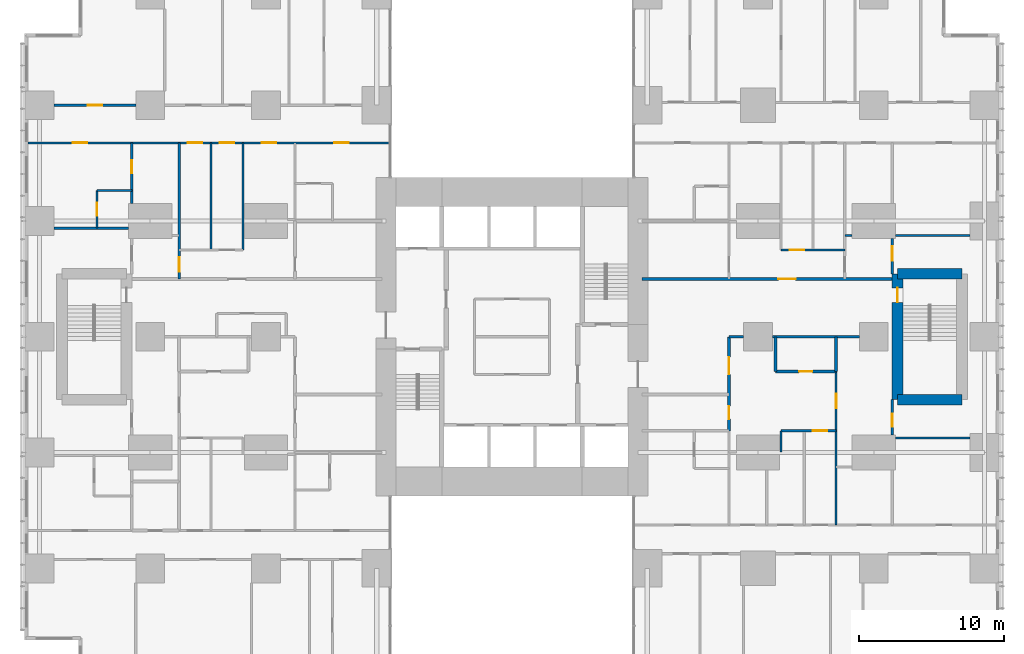
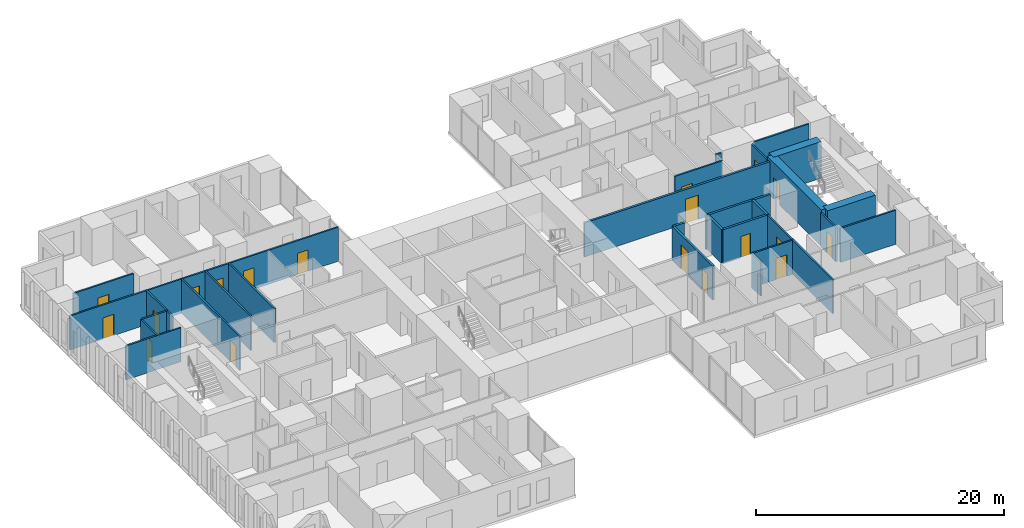
# One storey, part 16 of 20: 28 walls, 19 doors, 19 openings.
"""IFC4 building model written with IfcOpenShell, lengths in metres."""

from ifc_helpers import new_model, si_unit, direction, frame, frame_2d, origin, place, context, subcontext, project, spatial, rectangle, extrude, material, layer, layer_set, type_object, element, fill, save


model = new_model("IFC4")

# Units and contexts
model_context = context("Model", 3, precision=1e-05, world=origin(), true_north=direction((0.0, 1.0)))
body_context = subcontext(model_context, "Body", "Model", "MODEL_VIEW")
ifc_project = project(units=[si_unit("LENGTHUNIT", "METRE"), si_unit("AREAUNIT", "SQUARE_METRE"), si_unit("VOLUMEUNIT", "CUBIC_METRE"), si_unit("PLANEANGLEUNIT", "RADIAN"), si_unit("MASSUNIT", "GRAM", prefix="KILO")], contexts=[model_context])

# Site, building, storey
site_placement = place(None, origin())
site = spatial("IfcSite", under=ifc_project, at=site_placement, CompositionType="ELEMENT")
building_placement = place(site_placement, origin())
building = spatial("IfcBuilding", under=site, at=building_placement, Name="Cleftline Residences", CompositionType="ELEMENT")
storey_placement = place(building_placement, frame((0.0, 0.0, 157.39990234375)))
storey = spatial("IfcBuildingStorey", under=building, at=storey_placement, Name="L41", CompositionType="ELEMENT", Elevation=157.39990234375)

# Wall, opening, door
ifc_material_1 = material(Name="Concrete blockwork, fire rated", Category="masonry")
ifc_layer_1 = layer(ifc_material_1, 0.199951171875)
ifc_layer_set_1 = layer_set([ifc_layer_1], Name="FIRE WALL 200")
wall_type_1 = type_object("IfcWallType", Name="FIRE WALL 200", PredefinedType="PARTITIONING", material=ifc_layer_set_1)
wall_1_placement = place(storey_placement, frame((51.199951171875, 21.60009765625, 0.0), z_axis=(0.0, 0.0, 1.0), x_axis=(1.0, 0.0, 0.0)))
wall_1 = element("IfcWall", 1, at=wall_1_placement, inside=storey, type_object=wall_type_1, Name="Fire separating wall", PredefinedType="PARTITIONING", context=body_context, shape_type="SweptSolid", body=[
    extrude(rectangle(XDim=4.199951171875, YDim=0.199951171875, at=frame_2d((2.10009765625, 0.0))), origin(), (0.0, 0.0, 1.0), 3.35009765625),
])
opening_1_placement = place(wall_1_placement, frame((1.64990234375, 0.0, 0.0)))
opening_1 = element("IfcOpeningElement", 2, at=opening_1_placement, cuts=wall_1, Name="Opening D1F30", PredefinedType="OPENING", context=body_context, shape_type="SweptSolid", body=[
    extrude(rectangle(XDim=0.89990234375, YDim=2.10009765625, at=frame_2d((0.449951171875, 1.050048828125))), frame((0.0, 0.10986328125, 0.0), z_axis=(0.0, -1.0, 0.0), x_axis=(1.0, 0.0, 0.0)), (0.0, 0.0, 1.0), 0.219970703125),
])
ifc_material_2 = material(Name="Timber veneer on solid core", Category="wood")
door_type_1 = type_object("IfcDoorType", Name="DOOR 900X2100 EI 30", OperationType="SINGLE_SWING_LEFT", PredefinedType="DOOR", material=ifc_material_2)
door_1_placement = place(opening_1_placement, origin())
door_1 = element("IfcDoor", 3, at=door_1_placement, inside=storey, type_object=door_type_1, Name="Door to cloakroom wc", OperationType="SINGLE_SWING_LEFT", OverallHeight=2.10009765625, OverallWidth=0.89990234375, PredefinedType="DOOR", context=body_context, shape_type="SweptSolid", body=[
    extrude(rectangle(XDim=0.89990234375, YDim=2.10009765625, at=frame_2d((0.449951171875, 1.050048828125))), frame((0.0, 0.02490234375, 0.0), z_axis=(0.0, -1.0, 0.0), x_axis=(1.0, 0.0, 0.0)), (0.0, 0.0, 1.0), 0.050048828125),
])
fill(opening_1, door_1)

# Walls
wall_2_placement = place(storey_placement, frame((48.0, 24.0, 0.0), z_axis=(0.0, 0.0, 1.0), x_axis=(1.0, 0.0, 0.0)))
element("IfcWall", 4, at=wall_2_placement, inside=storey, type_object=wall_type_1, Name="Fire separating wall", PredefinedType="PARTITIONING", context=body_context, shape_type="SweptSolid", body=[
    extrude(rectangle(XDim=1.0, YDim=0.199951171875, at=frame_2d((0.5, 0.0))), origin(), (0.0, 0.0, 1.0), 3.35009765625),
])
wall_3_placement = place(storey_placement, frame((51.0, 24.0, 0.0), z_axis=(0.0, 0.0, 1.0), x_axis=(1.0, 0.0, 0.0)))
element("IfcWall", 5, at=wall_3_placement, inside=storey, type_object=wall_type_1, Name="Fire separating wall", PredefinedType="PARTITIONING", context=body_context, shape_type="SweptSolid", body=[
    extrude(rectangle(XDim=6.0, YDim=0.199951171875, at=frame_2d((3.0, 0.0))), origin(), (0.0, 0.0, 1.0), 3.35009765625),
])

# Wall, opening, door
wall_4_placement = place(storey_placement, frame((42.0, 28.0, 0.0), z_axis=(0.0, 0.0, 1.0), x_axis=(1.0, 0.0, 0.0)))
wall_4 = element("IfcWall", 6, at=wall_4_placement, inside=storey, type_object=wall_type_1, Name="Fire separating wall", PredefinedType="PARTITIONING", context=body_context, shape_type="SweptSolid", body=[
    extrude(rectangle(XDim=17.27490234375, YDim=0.199951171875, at=frame_2d((8.637451171875, 0.0))), origin(), (0.0, 0.0, 1.0), 3.35009765625),
])
opening_2_placement = place(wall_4_placement, frame((9.39990234375, 0.0, 0.0)))
opening_2 = element("IfcOpeningElement", 7, at=opening_2_placement, cuts=wall_4, Name="Opening D4", PredefinedType="OPENING", context=body_context, shape_type="SweptSolid", body=[
    extrude(rectangle(XDim=1.199951171875, YDim=2.39990234375, at=frame_2d((0.60009765625, 1.199951171875))), frame((0.0, 0.10986328125, 0.0), z_axis=(0.0, -1.0, 0.0), x_axis=(1.0, 0.0, 0.0)), (0.0, 0.0, 1.0), 0.219970703125),
])
ifc_material_3 = material(Name="Timber veneer on solid core", Category="wood")
door_type_2 = type_object("IfcDoorType", Name="APARTMENT ENTRANCE DOOR 1200X2400", OperationType="SINGLE_SWING_RIGHT", PredefinedType="DOOR", material=ifc_material_3)
door_2_placement = place(opening_2_placement, origin())
door_2 = element("IfcDoor", 8, at=door_2_placement, inside=storey, type_object=door_type_2, Name="Door to residence entrance (gallery)", OperationType="SINGLE_SWING_LEFT", OverallHeight=2.39990234375, OverallWidth=1.199951171875, PredefinedType="DOOR", context=body_context, shape_type="SweptSolid", body=[
    extrude(rectangle(XDim=1.199951171875, YDim=2.39990234375, at=frame_2d((0.60009765625, 1.199951171875))), frame((0.0, 0.02490234375, 0.0), z_axis=(0.0, -1.0, 0.0), x_axis=(1.0, 0.0, 0.0)), (0.0, 0.0, 1.0), 0.050048828125),
])
fill(opening_2, door_2)

# Wall, openings, doors
wall_5_placement = place(storey_placement, frame((48.0, 17.5, 0.0), z_axis=(0.0, 0.0, 1.0), x_axis=(0.0, 1.0, 0.0)))
wall_5 = element("IfcWall", 9, at=wall_5_placement, inside=storey, type_object=wall_type_1, Name="Fire separating wall", PredefinedType="PARTITIONING", context=body_context, shape_type="SweptSolid", body=[
    extrude(rectangle(XDim=6.5, YDim=0.199951171875, at=frame_2d((3.25, 0.0))), origin(), (0.0, 0.0, 1.0), 3.35009765625),
])
opening_3_placement = place(wall_5_placement, frame((3.89990234375, 0.0, 0.0)))
opening_3 = element("IfcOpeningElement", 10, at=opening_3_placement, cuts=wall_5, Name="Opening D4", PredefinedType="OPENING", context=body_context, shape_type="SweptSolid", body=[
    extrude(rectangle(XDim=1.199951171875, YDim=2.39990234375, at=frame_2d((0.60009765625, 1.199951171875))), frame((0.0, 0.10986328125, 0.0), z_axis=(0.0, -1.0, 0.0), x_axis=(1.0, 0.0, 0.0)), (0.0, 0.0, 1.0), 0.219970703125),
])
opening_4_placement = place(wall_5_placement, frame((0.800048828125, 0.0, 0.0)))
opening_4 = element("IfcOpeningElement", 11, at=opening_4_placement, cuts=wall_5, Name="Opening D1F30", PredefinedType="OPENING", context=body_context, shape_type="SweptSolid", body=[
    extrude(rectangle(XDim=0.89990234375, YDim=2.10009765625, at=frame_2d((0.449951171875, 1.050048828125))), frame((0.0, 0.10986328125, 0.0), z_axis=(0.0, -1.0, 0.0), x_axis=(1.0, 0.0, 0.0)), (0.0, 0.0, 1.0), 0.219970703125),
])
door_3_placement = place(opening_3_placement, origin())
door_3 = element("IfcDoor", 12, at=door_3_placement, inside=storey, type_object=door_type_2, Name="Door to residence entrance foyer", OperationType="SINGLE_SWING_LEFT", OverallHeight=2.39990234375, OverallWidth=1.199951171875, PredefinedType="DOOR", context=body_context, shape_type="SweptSolid", body=[
    extrude(rectangle(XDim=1.199951171875, YDim=2.39990234375, at=frame_2d((0.60009765625, 1.199951171875))), frame((0.0, 0.02490234375, 0.0), z_axis=(0.0, -1.0, 0.0), x_axis=(1.0, 0.0, 0.0)), (0.0, 0.0, 1.0), 0.050048828125),
])
fill(opening_3, door_3)
door_4_placement = place(opening_4_placement, origin())
door_4 = element("IfcDoor", 13, at=door_4_placement, inside=storey, type_object=door_type_1, Name="Door to utility room", OperationType="SINGLE_SWING_RIGHT", OverallHeight=2.10009765625, OverallWidth=0.89990234375, PredefinedType="DOOR", context=body_context, shape_type="SweptSolid", body=[
    extrude(rectangle(XDim=0.89990234375, YDim=2.10009765625, at=frame_2d((0.449951171875, 1.050048828125))), frame((0.0, 0.02490234375, 0.0), z_axis=(0.0, -1.0, 0.0), x_axis=(1.0, 0.0, 0.0)), (0.0, 0.0, 1.0), 0.050048828125),
])
fill(opening_4, door_4)

# Walls
for number, where, z_axis, x_axis, name in (
    (14, (51.199951171875, 21.60009765625, 0.0), (0.0, 0.0, 1.0), (0.0, 1.0, 0.0), "Fire separating wall"),
    (15, (55.39990234375, 21.60009765625, 0.0), (0.0, 0.0, 1.0), (0.0, 1.0, 0.0), "Fire separating wall"),
):
    element("IfcWall", number, at=place(storey_placement, frame(where, z_axis=z_axis, x_axis=x_axis)), inside=storey, type_object=wall_type_1, Name=name, PredefinedType="PARTITIONING", context=body_context, shape_type="SweptSolid", body=[
        extrude(rectangle(XDim=2.39990234375, YDim=0.199951171875, at=frame_2d((1.199951171875, 0.0))), origin(), (0.0, 0.0, 1.0), 3.35009765625),
    ])
ifc_material_4 = material(Name="Gypsum board on steel studs", Category="steel")
ifc_layer_2 = layer(ifc_material_4, 0.14990234375)
ifc_layer_set_2 = layer_set([ifc_layer_2], Name="PARTITION 150")
wall_type_2 = type_object("IfcWallType", Name="PARTITION 150", PredefinedType="PARTITIONING", material=ifc_layer_set_2)
wall_6_placement = place(storey_placement, frame((59.5, 17.0, 0.0), z_axis=(0.0, 0.0, 1.0), x_axis=(1.0, 0.0, 0.0)))
element("IfcWall", 16, at=wall_6_placement, inside=storey, type_object=wall_type_2, Name="Partition", PredefinedType="PARTITIONING", context=body_context, shape_type="SweptSolid", body=[
    extrude(rectangle(XDim=5.14990234375, YDim=0.14990234375, at=frame_2d((2.574951171875, 0.0))), origin(), (0.0, 0.0, 1.0), 3.35009765625),
])

# Wall, opening, door
wall_7_placement = place(storey_placement, frame((51.60009765625, 17.5, 0.0), z_axis=(0.0, 0.0, 1.0), x_axis=(1.0, 0.0, 0.0)))
wall_7 = element("IfcWall", 17, at=wall_7_placement, inside=storey, type_object=wall_type_2, Name="Partition", PredefinedType="PARTITIONING", context=body_context, shape_type="SweptSolid", body=[
    extrude(rectangle(XDim=3.7998046875, YDim=0.14990234375, at=frame_2d((1.89990234375, 0.0))), origin(), (0.0, 0.0, 1.0), 3.35009765625),
])
opening_5_placement = place(wall_7_placement, frame((2.199951171875, 0.0, 0.0)))
opening_5 = element("IfcOpeningElement", 18, at=opening_5_placement, cuts=wall_7, Name="Opening D2", PredefinedType="OPENING", context=body_context, shape_type="SweptSolid", body=[
    extrude(rectangle(XDim=1.0, YDim=2.10009765625, at=frame_2d((0.5, 1.050048828125))), frame((0.0, 0.0849609375, 0.0), z_axis=(0.0, -1.0, 0.0), x_axis=(1.0, 0.0, 0.0)), (0.0, 0.0, 1.0), 0.169921875),
])
ifc_material_5 = material(Name="Timber veneer on solid core", Category="wood")
door_type_3 = type_object("IfcDoorType", Name="DOOR 1000X2100", OperationType="SINGLE_SWING_LEFT", PredefinedType="DOOR", material=ifc_material_5)
door_5_placement = place(opening_5_placement, origin())
door_5 = element("IfcDoor", 19, at=door_5_placement, inside=storey, type_object=door_type_3, Name="Door to residence passage", OperationType="SINGLE_SWING_LEFT", OverallHeight=2.10009765625, OverallWidth=1.0, PredefinedType="DOOR", context=body_context, shape_type="SweptSolid", body=[
    extrude(rectangle(XDim=1.0, YDim=2.10009765625, at=frame_2d((0.5, 1.050048828125))), frame((0.0, 0.02490234375, 0.0), z_axis=(0.0, -1.0, 0.0), x_axis=(1.0, 0.0, 0.0)), (0.0, 0.0, 1.0), 0.050048828125),
])
fill(opening_5, door_5)

wall_8_placement = place(storey_placement, frame((51.60009765625, 30.0, 0.0), z_axis=(0.0, 0.0, 1.0), x_axis=(1.0, 0.0, 0.0)))
wall_8 = element("IfcWall", 20, at=wall_8_placement, inside=storey, type_object=wall_type_2, Name="Partition", PredefinedType="PARTITIONING", context=body_context, shape_type="SweptSolid", body=[
    extrude(rectangle(XDim=4.39990234375, YDim=0.14990234375, at=frame_2d((2.199951171875, 0.0))), origin(), (0.0, 0.0, 1.0), 3.35009765625),
])
opening_6_placement = place(wall_8_placement, frame((0.60009765625, 0.0, 0.0)))
opening_6 = element("IfcOpeningElement", 21, at=opening_6_placement, cuts=wall_8, Name="Opening D2", PredefinedType="OPENING", context=body_context, shape_type="SweptSolid", body=[
    extrude(rectangle(XDim=1.0, YDim=2.10009765625, at=frame_2d((0.5, 1.050048828125))), frame((0.0, 0.0849609375, 0.0), z_axis=(0.0, -1.0, 0.0), x_axis=(1.0, 0.0, 0.0)), (0.0, 0.0, 1.0), 0.169921875),
])
door_6_placement = place(opening_6_placement, origin())
door_6 = element("IfcDoor", 22, at=door_6_placement, inside=storey, type_object=door_type_3, Name="Door to residence passage", OperationType="SINGLE_SWING_RIGHT", OverallHeight=2.10009765625, OverallWidth=1.0, PredefinedType="DOOR", context=body_context, shape_type="SweptSolid", body=[
    extrude(rectangle(XDim=1.0, YDim=2.10009765625, at=frame_2d((0.5, 1.050048828125))), frame((0.0, 0.02490234375, 0.0), z_axis=(0.0, -1.0, 0.0), x_axis=(1.0, 0.0, 0.0)), (0.0, 0.0, 1.0), 0.050048828125),
])
fill(opening_6, door_6)

# Walls
wall_9_placement = place(storey_placement, frame((56.0, 31.0, 0.0), z_axis=(0.0, 0.0, 1.0), x_axis=(1.0, 0.0, 0.0)))
element("IfcWall", 23, at=wall_9_placement, inside=storey, type_object=wall_type_2, Name="Partition", PredefinedType="PARTITIONING", context=body_context, shape_type="SweptSolid", body=[
    extrude(rectangle(XDim=0.5, YDim=0.14990234375, at=frame_2d((0.25, 0.0))), origin(), (0.0, 0.0, 1.0), 3.35009765625),
])
for number, where, z_axis, x_axis, name in (
    (24, (59.5, 31.0, 0.0), (0.0, 0.0, 1.0), (1.0, 0.0, 0.0), "Partition"),
    (25, (1.35009765625, 31.5, 0.0), (0.0, 0.0, 1.0), (1.0, 0.0, 0.0), "Partition"),
):
    element("IfcWall", number, at=place(storey_placement, frame(where, z_axis=z_axis, x_axis=x_axis)), inside=storey, type_object=wall_type_2, Name=name, PredefinedType="PARTITIONING", context=body_context, shape_type="SweptSolid", body=[
        extrude(rectangle(XDim=5.14990234375, YDim=0.14990234375, at=frame_2d((2.574951171875, 0.0))), origin(), (0.0, 0.0, 1.0), 3.35009765625),
    ])
wall_10_placement = place(storey_placement, frame((4.324951171875, 34.10009765625, 0.0), z_axis=(0.0, 0.0, 1.0), x_axis=(1.0, 0.0, 0.0)))
element("IfcWall", 26, at=wall_10_placement, inside=storey, type_object=wall_type_2, Name="Partition", PredefinedType="PARTITIONING", context=body_context, shape_type="SweptSolid", body=[
    extrude(rectangle(XDim=2.400146484375, YDim=0.14990234375, at=frame_2d((1.2001953125, 0.0))), origin(), (0.0, 0.0, 1.0), 3.35009765625),
])

# Wall, openings, doors
wall_11_placement = place(storey_placement, frame((-0.449951171875, 37.39990234375, 0.0), z_axis=(0.0, 0.0, 1.0), x_axis=(1.0, 0.0, 0.0)))
wall_11 = element("IfcWall", 27, at=wall_11_placement, inside=storey, type_object=wall_type_2, Name="Partition", PredefinedType="PARTITIONING", context=body_context, shape_type="SweptSolid", body=[
    extrude(rectangle(XDim=25.010986328125, YDim=0.14990234375, at=frame_2d((12.50537109375, 0.0))), origin(), (0.0, 0.0, 1.0), 3.35009765625),
])
opening_7_placement = place(wall_11_placement, frame((13.25, 0.0, 0.0)))
opening_7 = element("IfcOpeningElement", 28, at=opening_7_placement, cuts=wall_11, Name="Opening D2", PredefinedType="OPENING", context=body_context, shape_type="SweptSolid", body=[
    extrude(rectangle(XDim=1.0, YDim=2.10009765625, at=frame_2d((0.5, 1.050048828125))), frame((0.0, 0.0849609375, 0.0), z_axis=(0.0, -1.0, 0.0), x_axis=(1.0, 0.0, 0.0)), (0.0, 0.0, 1.0), 0.169921875),
])
opening_8_placement = place(wall_11_placement, frame((3.08740234375, 0.0, 0.0)))
opening_8 = element("IfcOpeningElement", 29, at=opening_8_placement, cuts=wall_11, Name="Opening D2", PredefinedType="OPENING", context=body_context, shape_type="SweptSolid", body=[
    extrude(rectangle(XDim=1.0, YDim=2.10009765625, at=frame_2d((0.5, 1.050048828125))), frame((0.0, 0.0849609375, 0.0), z_axis=(0.0, -1.0, 0.0), x_axis=(1.0, 0.0, 0.0)), (0.0, 0.0, 1.0), 0.169921875),
])
opening_9_placement = place(wall_11_placement, frame((11.050048828125, 0.0, 0.0)))
opening_9 = element("IfcOpeningElement", 30, at=opening_9_placement, cuts=wall_11, Name="Opening D2", PredefinedType="OPENING", context=body_context, shape_type="SweptSolid", body=[
    extrude(rectangle(XDim=1.0, YDim=2.10009765625, at=frame_2d((0.5, 1.050048828125))), frame((0.0, 0.0849609375, 0.0), z_axis=(0.0, -1.0, 0.0), x_axis=(1.0, 0.0, 0.0)), (0.0, 0.0, 1.0), 0.169921875),
])
opening_10_placement = place(wall_11_placement, frame((16.14990234375, 0.0, 0.0)))
opening_10 = element("IfcOpeningElement", 31, at=opening_10_placement, cuts=wall_11, Name="Opening D2", PredefinedType="OPENING", context=body_context, shape_type="SweptSolid", body=[
    extrude(rectangle(XDim=1.0, YDim=2.10009765625, at=frame_2d((0.5, 1.050048828125))), frame((0.0, 0.0849609375, 0.0), z_axis=(0.0, -1.0, 0.0), x_axis=(1.0, 0.0, 0.0)), (0.0, 0.0, 1.0), 0.169921875),
])
opening_11_placement = place(wall_11_placement, frame((21.175048828125, 0.0, 0.0)))
opening_11 = element("IfcOpeningElement", 32, at=opening_11_placement, cuts=wall_11, Name="Opening D2", PredefinedType="OPENING", context=body_context, shape_type="SweptSolid", body=[
    extrude(rectangle(XDim=1.0, YDim=2.10009765625, at=frame_2d((0.5, 1.050048828125))), frame((0.0, 0.0849609375, 0.0), z_axis=(0.0, -1.0, 0.0), x_axis=(1.0, 0.0, 0.0)), (0.0, 0.0, 1.0), 0.169921875),
])
door_7_placement = place(opening_7_placement, origin())
door_7 = element("IfcDoor", 33, at=door_7_placement, inside=storey, type_object=door_type_3, Name="Door to residence hall", OperationType="SINGLE_SWING_LEFT", OverallHeight=2.10009765625, OverallWidth=1.0, PredefinedType="DOOR", context=body_context, shape_type="SweptSolid", body=[
    extrude(rectangle(XDim=1.0, YDim=2.10009765625, at=frame_2d((0.5, 1.050048828125))), frame((0.0, 0.02490234375, 0.0), z_axis=(0.0, -1.0, 0.0), x_axis=(1.0, 0.0, 0.0)), (0.0, 0.0, 1.0), 0.050048828125),
])
fill(opening_7, door_7)
door_8_placement = place(opening_8_placement, origin())
door_8 = element("IfcDoor", 34, at=door_8_placement, inside=storey, type_object=door_type_3, Name="Door to master bedroom", OperationType="SINGLE_SWING_RIGHT", OverallHeight=2.10009765625, OverallWidth=1.0, PredefinedType="DOOR", context=body_context, shape_type="SweptSolid", body=[
    extrude(rectangle(XDim=1.0, YDim=2.10009765625, at=frame_2d((0.5, 1.050048828125))), frame((0.0, 0.02490234375, 0.0), z_axis=(0.0, -1.0, 0.0), x_axis=(1.0, 0.0, 0.0)), (0.0, 0.0, 1.0), 0.050048828125),
])
fill(opening_8, door_8)
door_9_placement = place(opening_9_placement, origin())
door_9 = element("IfcDoor", 35, at=door_9_placement, inside=storey, type_object=door_type_3, Name="Door to wet kitchen", OperationType="SINGLE_SWING_RIGHT", OverallHeight=2.10009765625, OverallWidth=1.0, PredefinedType="DOOR", context=body_context, shape_type="SweptSolid", body=[
    extrude(rectangle(XDim=1.0, YDim=2.10009765625, at=frame_2d((0.5, 1.050048828125))), frame((0.0, 0.02490234375, 0.0), z_axis=(0.0, -1.0, 0.0), x_axis=(1.0, 0.0, 0.0)), (0.0, 0.0, 1.0), 0.050048828125),
])
fill(opening_9, door_9)
door_10_placement = place(opening_10_placement, origin())
door_10 = element("IfcDoor", 36, at=door_10_placement, inside=storey, type_object=door_type_3, Name="Door to family room", OperationType="SINGLE_SWING_LEFT", OverallHeight=2.10009765625, OverallWidth=1.0, PredefinedType="DOOR", context=body_context, shape_type="SweptSolid", body=[
    extrude(rectangle(XDim=1.0, YDim=2.10009765625, at=frame_2d((0.5, 1.050048828125))), frame((0.0, 0.02490234375, 0.0), z_axis=(0.0, -1.0, 0.0), x_axis=(1.0, 0.0, 0.0)), (0.0, 0.0, 1.0), 0.050048828125),
])
fill(opening_10, door_10)
door_11_placement = place(opening_11_placement, origin())
door_11 = element("IfcDoor", 37, at=door_11_placement, inside=storey, type_object=door_type_3, Name="Door to bedroom 3", OperationType="SINGLE_SWING_LEFT", OverallHeight=2.10009765625, OverallWidth=1.0, PredefinedType="DOOR", context=body_context, shape_type="SweptSolid", body=[
    extrude(rectangle(XDim=1.0, YDim=2.10009765625, at=frame_2d((0.5, 1.050048828125))), frame((0.0, 0.02490234375, 0.0), z_axis=(0.0, -1.0, 0.0), x_axis=(1.0, 0.0, 0.0)), (0.0, 0.0, 1.0), 0.050048828125),
])
fill(opening_11, door_11)

# Wall, opening, door
wall_12_placement = place(storey_placement, frame((1.35009765625, 40.0, 0.0), z_axis=(0.0, 0.0, 1.0), x_axis=(1.0, 0.0, 0.0)))
wall_12 = element("IfcWall", 38, at=wall_12_placement, inside=storey, type_object=wall_type_2, Name="Partition", PredefinedType="PARTITIONING", context=body_context, shape_type="SweptSolid", body=[
    extrude(rectangle(XDim=5.64990234375, YDim=0.14990234375, at=frame_2d((2.824951171875, 0.0))), origin(), (0.0, 0.0, 1.0), 3.35009765625),
])
opening_12_placement = place(wall_12_placement, frame((2.324951171875, 0.0, 0.0)))
opening_12 = element("IfcOpeningElement", 39, at=opening_12_placement, cuts=wall_12, Name="Opening D2", PredefinedType="OPENING", context=body_context, shape_type="SweptSolid", body=[
    extrude(rectangle(XDim=1.0, YDim=2.10009765625, at=frame_2d((0.5, 1.050048828125))), frame((0.0, 0.0849609375, 0.0), z_axis=(0.0, -1.0, 0.0), x_axis=(1.0, 0.0, 0.0)), (0.0, 0.0, 1.0), 0.169921875),
])
door_12_placement = place(opening_12_placement, origin())
door_12 = element("IfcDoor", 40, at=door_12_placement, inside=storey, type_object=door_type_3, Name="Door to living room", OperationType="SINGLE_SWING_LEFT", OverallHeight=2.10009765625, OverallWidth=1.0, PredefinedType="DOOR", context=body_context, shape_type="SweptSolid", body=[
    extrude(rectangle(XDim=1.0, YDim=2.10009765625, at=frame_2d((0.5, 1.050048828125))), frame((0.0, 0.02490234375, 0.0), z_axis=(0.0, -1.0, 0.0), x_axis=(1.0, 0.0, 0.0)), (0.0, 0.0, 1.0), 0.050048828125),
])
fill(opening_12, door_12)

wall_13_placement = place(storey_placement, frame((4.324951171875, 31.5, 0.0), z_axis=(0.0, 0.0, 1.0), x_axis=(0.0, 1.0, 0.0)))
wall_13 = element("IfcWall", 41, at=wall_13_placement, inside=storey, type_object=wall_type_2, Name="Partition", PredefinedType="PARTITIONING", context=body_context, shape_type="SweptSolid", body=[
    extrude(rectangle(XDim=2.60009765625, YDim=0.14990234375, at=frame_2d((1.300048828125, 0.0))), origin(), (0.0, 0.0, 1.0), 3.35009765625),
])
opening_13_placement = place(wall_13_placement, frame((0.85009765625, 0.0, 0.0)))
opening_13 = element("IfcOpeningElement", 42, at=opening_13_placement, cuts=wall_13, Name="Opening D1", PredefinedType="OPENING", context=body_context, shape_type="SweptSolid", body=[
    extrude(rectangle(XDim=0.89990234375, YDim=2.10009765625, at=frame_2d((0.449951171875, 1.050048828125))), frame((0.0, 0.0849609375, 0.0), z_axis=(0.0, -1.0, 0.0), x_axis=(1.0, 0.0, 0.0)), (0.0, 0.0, 1.0), 0.169921875),
])
ifc_material_6 = material(Name="Timber veneer on solid core", Category="wood")
door_type_4 = type_object("IfcDoorType", Name="DOOR 900X2100", OperationType="SINGLE_SWING_LEFT", PredefinedType="DOOR", material=ifc_material_6)
door_13_placement = place(opening_13_placement, origin())
door_13 = element("IfcDoor", 43, at=door_13_placement, inside=storey, type_object=door_type_4, Name="Door to master bathroom", OperationType="SINGLE_SWING_LEFT", OverallHeight=2.10009765625, OverallWidth=0.89990234375, PredefinedType="DOOR", context=body_context, shape_type="SweptSolid", body=[
    extrude(rectangle(XDim=0.89990234375, YDim=2.10009765625, at=frame_2d((0.449951171875, 1.050048828125))), frame((0.0, 0.02490234375, 0.0), z_axis=(0.0, -1.0, 0.0), x_axis=(1.0, 0.0, 0.0)), (0.0, 0.0, 1.0), 0.050048828125),
])
fill(opening_13, door_13)

wall_14_placement = place(storey_placement, frame((6.72509765625, 33.199951171875, 0.0), z_axis=(0.0, 0.0, 1.0), x_axis=(0.0, 1.0, 0.0)))
wall_14 = element("IfcWall", 44, at=wall_14_placement, inside=storey, type_object=wall_type_2, Name="Partition", PredefinedType="PARTITIONING", context=body_context, shape_type="SweptSolid", body=[
    extrude(rectangle(XDim=4.199951171875, YDim=0.14990234375, at=frame_2d((2.10009765625, 0.0))), origin(), (0.0, 0.0, 1.0), 3.35009765625),
])
opening_14_placement = place(wall_14_placement, frame((2.10009765625, 0.0, 0.0)))
opening_14 = element("IfcOpeningElement", 45, at=opening_14_placement, cuts=wall_14, Name="Opening D1", PredefinedType="OPENING", context=body_context, shape_type="SweptSolid", body=[
    extrude(rectangle(XDim=0.89990234375, YDim=2.10009765625, at=frame_2d((0.449951171875, 1.050048828125))), frame((0.0, 0.0849609375, 0.0), z_axis=(0.0, -1.0, 0.0), x_axis=(1.0, 0.0, 0.0)), (0.0, 0.0, 1.0), 0.169921875),
])
door_14_placement = place(opening_14_placement, origin())
door_14 = element("IfcDoor", 46, at=door_14_placement, inside=storey, type_object=door_type_4, Name="Door to master dressing room", OperationType="SINGLE_SWING_LEFT", OverallHeight=2.10009765625, OverallWidth=0.89990234375, PredefinedType="DOOR", context=body_context, shape_type="SweptSolid", body=[
    extrude(rectangle(XDim=0.89990234375, YDim=2.10009765625, at=frame_2d((0.449951171875, 1.050048828125))), frame((0.0, 0.02490234375, 0.0), z_axis=(0.0, -1.0, 0.0), x_axis=(1.0, 0.0, 0.0)), (0.0, 0.0, 1.0), 0.050048828125),
])
fill(opening_14, door_14)

wall_15_placement = place(storey_placement, frame((10.0, 28.0, 0.0), z_axis=(0.0, 0.0, 1.0), x_axis=(0.0, 1.0, 0.0)))
wall_15 = element("IfcWall", 47, at=wall_15_placement, inside=storey, type_object=wall_type_2, Name="Partition", PredefinedType="PARTITIONING", context=body_context, shape_type="SweptSolid", body=[
    extrude(rectangle(XDim=9.39990234375, YDim=0.14990234375, at=frame_2d((4.699951171875, 0.0))), origin(), (0.0, 0.0, 1.0), 3.35009765625),
])
opening_15_placement = place(wall_15_placement, frame((0.5, 0.0, 0.0)))
opening_15 = element("IfcOpeningElement", 48, at=opening_15_placement, cuts=wall_15, Name="Opening D2F30", PredefinedType="OPENING", context=body_context, shape_type="SweptSolid", body=[
    extrude(rectangle(XDim=1.0, YDim=2.10009765625, at=frame_2d((0.5, 1.050048828125))), frame((0.0, 0.0849609375, 0.0), z_axis=(0.0, -1.0, 0.0), x_axis=(1.0, 0.0, 0.0)), (0.0, 0.0, 1.0), 0.169921875),
])
ifc_material_7 = material(Name="Timber veneer on solid core", Category="wood")
door_type_5 = type_object("IfcDoorType", Name="DOOR 1000X2100 EI 30", OperationType="SINGLE_SWING_LEFT", PredefinedType="DOOR", material=ifc_material_7)
door_15_placement = place(opening_15_placement, origin())
door_15 = element("IfcDoor", 49, at=door_15_placement, inside=storey, type_object=door_type_5, Name="Door to residence lobby", OperationType="SINGLE_SWING_RIGHT", OverallHeight=2.10009765625, OverallWidth=1.0, PredefinedType="DOOR", context=body_context, shape_type="SweptSolid", body=[
    extrude(rectangle(XDim=1.0, YDim=2.10009765625, at=frame_2d((0.5, 1.050048828125))), frame((0.0, 0.02490234375, 0.0), z_axis=(0.0, -1.0, 0.0), x_axis=(1.0, 0.0, 0.0)), (0.0, 0.0, 1.0), 0.050048828125),
])
fill(opening_15, door_15)

# Walls
for number, where, z_axis, x_axis, name in (
    (50, (12.199951171875, 30.0, 0.0), (0.0, 0.0, 1.0), (0.0, 1.0, 0.0), "Partition"),
    (51, (14.39990234375, 30.0, 0.0), (0.0, 0.0, 1.0), (0.0, 1.0, 0.0), "Partition"),
):
    element("IfcWall", number, at=place(storey_placement, frame(where, z_axis=z_axis, x_axis=x_axis)), inside=storey, type_object=wall_type_2, Name=name, PredefinedType="PARTITIONING", context=body_context, shape_type="SweptSolid", body=[
        extrude(rectangle(XDim=7.39990234375, YDim=0.14990234375, at=frame_2d((3.699951171875, 0.0))), origin(), (0.0, 0.0, 1.0), 3.35009765625),
    ])
wall_16_placement = place(storey_placement, frame((51.60009765625, 16.050048828125, 0.0), z_axis=(0.0, 0.0, 1.0), x_axis=(0.0, 1.0, 0.0)))
element("IfcWall", 52, at=wall_16_placement, inside=storey, type_object=wall_type_2, Name="Partition", PredefinedType="PARTITIONING", context=body_context, shape_type="SweptSolid", body=[
    extrude(rectangle(XDim=1.449951171875, YDim=0.14990234375, at=frame_2d((0.72509765625, 0.0))), origin(), (0.0, 0.0, 1.0), 3.35009765625),
])

# Wall, opening, door
wall_17_placement = place(storey_placement, frame((55.39990234375, 11.0, 0.0), z_axis=(0.0, 0.0, 1.0), x_axis=(0.0, 1.0, 0.0)))
wall_17 = element("IfcWall", 53, at=wall_17_placement, inside=storey, type_object=wall_type_2, Name="Partition", PredefinedType="PARTITIONING", context=body_context, shape_type="SweptSolid", body=[
    extrude(rectangle(XDim=10.60009765625, YDim=0.14990234375, at=frame_2d((5.300048828125, 0.0))), origin(), (0.0, 0.0, 1.0), 3.35009765625),
])
opening_16_placement = place(wall_17_placement, frame((8.050048828125, 0.0, 0.0)))
opening_16 = element("IfcOpeningElement", 54, at=opening_16_placement, cuts=wall_17, Name="Opening D2F30", PredefinedType="OPENING", context=body_context, shape_type="SweptSolid", body=[
    extrude(rectangle(XDim=1.0, YDim=2.10009765625, at=frame_2d((0.5, 1.050048828125))), frame((0.0, 0.0849609375, 0.0), z_axis=(0.0, -1.0, 0.0), x_axis=(1.0, 0.0, 0.0)), (0.0, 0.0, 1.0), 0.169921875),
])
door_16_placement = place(opening_16_placement, origin())
door_16 = element("IfcDoor", 55, at=door_16_placement, inside=storey, type_object=door_type_5, Name="Door to residence lobby", OperationType="SINGLE_SWING_LEFT", OverallHeight=2.10009765625, OverallWidth=1.0, PredefinedType="DOOR", context=body_context, shape_type="SweptSolid", body=[
    extrude(rectangle(XDim=1.0, YDim=2.10009765625, at=frame_2d((0.5, 1.050048828125))), frame((0.0, 0.02490234375, 0.0), z_axis=(0.0, -1.0, 0.0), x_axis=(1.0, 0.0, 0.0)), (0.0, 0.0, 1.0), 0.050048828125),
])
fill(opening_16, door_16)

wall_18_placement = place(storey_placement, frame((59.27490234375, 17.199951171875, 0.0), z_axis=(0.0, 0.0, 1.0), x_axis=(0.0, 1.0, 0.0)))
wall_18 = element("IfcWall", 56, at=wall_18_placement, inside=storey, type_object=wall_type_2, Name="Partition", PredefinedType="PARTITIONING", context=body_context, shape_type="SweptSolid", body=[
    extrude(rectangle(XDim=2.449951171875, YDim=0.14990234375, at=frame_2d((1.22509765625, 0.0))), origin(), (0.0, 0.0, 1.0), 3.35009765625),
])
opening_17_placement = place(wall_18_placement, frame((0.58740234375, 0.0, 0.0)))
opening_17 = element("IfcOpeningElement", 57, at=opening_17_placement, cuts=wall_18, Name="Opening D1", PredefinedType="OPENING", context=body_context, shape_type="SweptSolid", body=[
    extrude(rectangle(XDim=0.89990234375, YDim=2.10009765625, at=frame_2d((0.449951171875, 1.050048828125))), frame((0.0, 0.0849609375, 0.0), z_axis=(0.0, -1.0, 0.0), x_axis=(1.0, 0.0, 0.0)), (0.0, 0.0, 1.0), 0.169921875),
])
door_17_placement = place(opening_17_placement, origin())
door_17 = element("IfcDoor", 58, at=door_17_placement, inside=storey, type_object=door_type_4, Name="Door to drying loggia", OperationType="SINGLE_SWING_RIGHT", OverallHeight=2.10009765625, OverallWidth=0.89990234375, PredefinedType="DOOR", context=body_context, shape_type="SweptSolid", body=[
    extrude(rectangle(XDim=0.89990234375, YDim=2.10009765625, at=frame_2d((0.449951171875, 1.050048828125))), frame((0.0, 0.02490234375, 0.0), z_axis=(0.0, -1.0, 0.0), x_axis=(1.0, 0.0, 0.0)), (0.0, 0.0, 1.0), 0.050048828125),
])
fill(opening_17, door_17)

wall_19_placement = place(storey_placement, frame((59.27490234375, 28.35009765625, 0.0), z_axis=(0.0, 0.0, 1.0), x_axis=(0.0, 1.0, 0.0)))
wall_19 = element("IfcWall", 59, at=wall_19_placement, inside=storey, type_object=wall_type_2, Name="Partition", PredefinedType="PARTITIONING", context=body_context, shape_type="SweptSolid", body=[
    extrude(rectangle(XDim=2.449951171875, YDim=0.14990234375, at=frame_2d((1.22509765625, 0.0))), origin(), (0.0, 0.0, 1.0), 3.35009765625),
])
opening_18_placement = place(wall_19_placement, frame((0.91259765625, 0.0, 0.0)))
opening_18 = element("IfcOpeningElement", 60, at=opening_18_placement, cuts=wall_19, Name="Opening D2", PredefinedType="OPENING", context=body_context, shape_type="SweptSolid", body=[
    extrude(rectangle(XDim=1.0, YDim=2.10009765625, at=frame_2d((0.5, 1.050048828125))), frame((0.0, 0.0849609375, 0.0), z_axis=(0.0, -1.0, 0.0), x_axis=(1.0, 0.0, 0.0)), (0.0, 0.0, 1.0), 0.169921875),
])
door_18_placement = place(opening_18_placement, origin())
door_18 = element("IfcDoor", 61, at=door_18_placement, inside=storey, type_object=door_type_3, Name="Door to winter garden", OperationType="SINGLE_SWING_LEFT", OverallHeight=2.10009765625, OverallWidth=1.0, PredefinedType="DOOR", context=body_context, shape_type="SweptSolid", body=[
    extrude(rectangle(XDim=1.0, YDim=2.10009765625, at=frame_2d((0.5, 1.050048828125))), frame((0.0, 0.02490234375, 0.0), z_axis=(0.0, -1.0, 0.0), x_axis=(1.0, 0.0, 0.0)), (0.0, 0.0, 1.0), 0.050048828125),
])
fill(opening_18, door_18)

# Walls
ifc_material_8 = material(Name="Concrete B70", Category="concrete")
ifc_layer_3 = layer(ifc_material_8, 0.75)
ifc_layer_set_3 = layer_set([ifc_layer_3], Name="SHEAR WALL 750")
wall_type_3 = type_object("IfcWallType", Name="SHEAR WALL 750", PredefinedType="SHEAR", material=ifc_layer_set_3)
for number, where, z_axis, x_axis, name in (
    (62, (59.64990234375, 19.64990234375, 0.0), (0.0, 0.0, 1.0), (1.0, 0.0, 0.0), "Wing shear wall"),
    (63, (64.10009765625, 28.35009765625, 0.0), (0.0, 0.0, 1.0), (-1.0, 0.0, 0.0), "Wing shear wall"),
):
    element("IfcWall", number, at=place(storey_placement, frame(where, z_axis=z_axis, x_axis=x_axis)), inside=storey, type_object=wall_type_3, Name=name, PredefinedType="SHEAR", context=body_context, shape_type="SweptSolid", body=[
        extrude(rectangle(XDim=4.4501953125, YDim=0.75, at=frame_2d((2.22509765625, 0.0))), origin(), (0.0, 0.0, 1.0), 3.60009765625),
    ])

# Wall, opening, door
wall_20_placement = place(storey_placement, frame((59.64990234375, 28.35009765625, 0.0), z_axis=(0.0, 0.0, 1.0), x_axis=(0.0, -1.0, 0.0)))
wall_20 = element("IfcWall", 64, at=wall_20_placement, inside=storey, type_object=wall_type_3, Name="Wing shear wall", PredefinedType="SHEAR", context=body_context, shape_type="SweptSolid", body=[
    extrude(rectangle(XDim=8.7001953125, YDim=0.75, at=frame_2d((4.35009765625, 0.0))), origin(), (0.0, 0.0, 1.0), 3.60009765625),
])
opening_19_placement = place(wall_20_placement, frame((0.97509765625, 0.0, 0.0)))
opening_19 = element("IfcOpeningElement", 65, at=opening_19_placement, cuts=wall_20, Name="Opening D5", PredefinedType="OPENING", context=body_context, shape_type="SweptSolid", body=[
    extrude(rectangle(XDim=1.0, YDim=2.10009765625, at=frame_2d((0.5, 1.050048828125))), frame((0.0, 0.385009765625, 0.0), z_axis=(0.0, -1.0, 0.0), x_axis=(1.0, 0.0, 0.0)), (0.0, 0.0, 1.0), 0.77001953125),
])
ifc_material_9 = material(Name="Steel", Category="steel")
door_type_6 = type_object("IfcDoorType", Name="STAIR DOOR 1000X2100", OperationType="SINGLE_SWING_LEFT", PredefinedType="DOOR", material=ifc_material_9)
door_19_placement = place(opening_19_placement, origin())
door_19 = element("IfcDoor", 66, at=door_19_placement, inside=storey, type_object=door_type_6, Name="Stair E door", OperationType="SINGLE_SWING_RIGHT", OverallHeight=2.10009765625, OverallWidth=1.0, PredefinedType="DOOR", context=body_context, shape_type="SweptSolid", body=[
    extrude(rectangle(XDim=1.0, YDim=2.10009765625, at=frame_2d((0.5, 1.050048828125))), frame((0.0, 0.02490234375, 0.0), z_axis=(0.0, -1.0, 0.0), x_axis=(1.0, 0.0, 0.0)), (0.0, 0.0, 1.0), 0.050048828125),
])
fill(opening_19, door_19)

save(model, "model.ifc")
